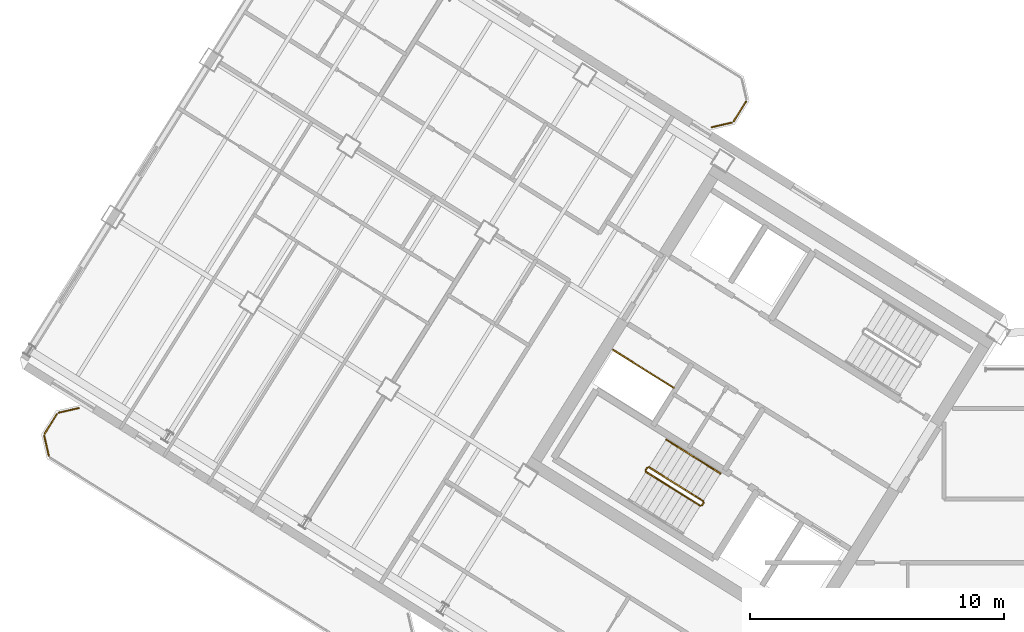
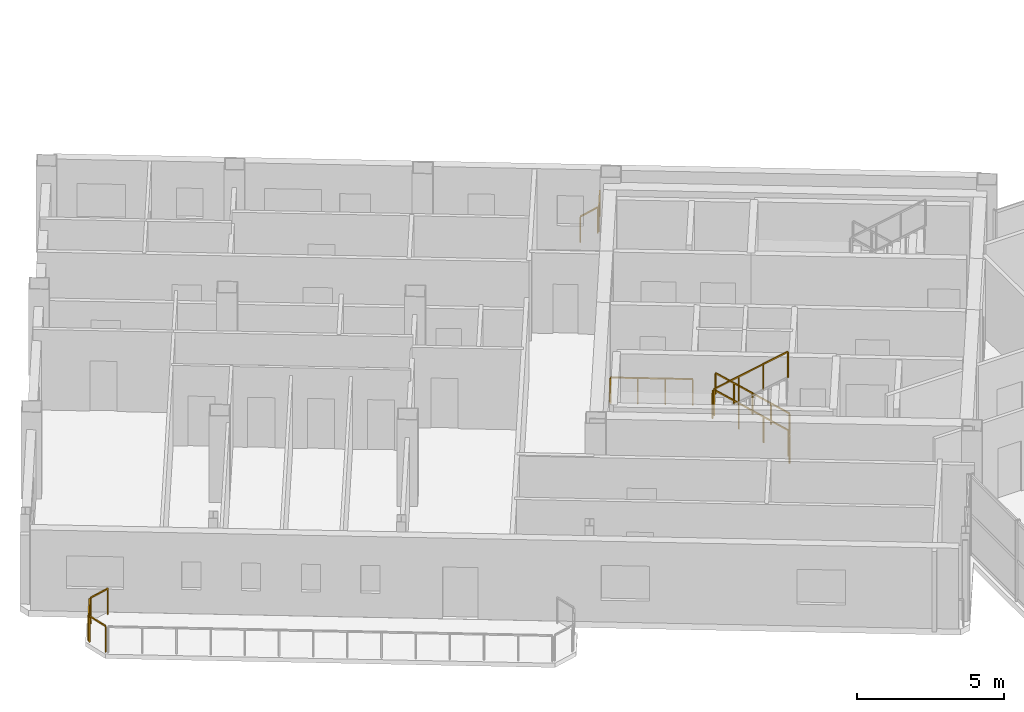
# One storey, part 23 of 25: 12 railings.
"""IFC4 building model written with IfcOpenShell, lengths in metres."""

from ifc_helpers import new_model, si_unit, direction, frame, origin, origin_2d, place, context, subcontext, project, spatial, rectangle, extrude, source, transform, mapped, material, type_object, element, save


model = new_model("IFC4")

# Units and contexts
model_context = context("Model", 3, precision=1e-05, world=origin(), true_north=direction((0.0, 1.0)))
body_context = subcontext(model_context, "Body", "Model", "MODEL_VIEW")
ifc_project = project(units=[si_unit("LENGTHUNIT", "METRE"), si_unit("AREAUNIT", "SQUARE_METRE"), si_unit("VOLUMEUNIT", "CUBIC_METRE"), si_unit("PLANEANGLEUNIT", "RADIAN"), si_unit("MASSUNIT", "GRAM", prefix="KILO")], contexts=[model_context])

# Site, building, storey
site_placement = place(None, origin())
site = spatial("IfcSite", under=ifc_project, at=site_placement, CompositionType="ELEMENT")
building_placement = place(site_placement, origin())
building = spatial("IfcBuilding", under=site, at=building_placement, Name="Tlacorven Tower", CompositionType="ELEMENT")
storey_placement = place(building_placement, frame((0.0, 0.0, 259.199951171875)))
storey = spatial("IfcBuildingStorey", under=building, at=storey_placement, Name="L65", CompositionType="ELEMENT", Elevation=259.199951171875)

# Railings
ifc_material = material(Name="Aluminium and painted steel balustrade", Category="steel")
railing_type_1 = type_object("IfcRailingType", Name="RL-GRD-1100", PredefinedType="GUARDRAIL", material=ifc_material)
shared_shape_1 = source(origin(), body_context, "Body", "SweptSolid", [
    extrude(rectangle(XDim=0.048095703125, YDim=0.048095703125, at=origin_2d()), frame((0.0, 0.0, 1.076171875), z_axis=(-0.848091358275, 0.529850024081, 0.0), x_axis=(-0.529850024081, -0.848091358275, 0.0)), (0.0, 0.0, 1.0), 2.800048828125),
    extrude(rectangle(XDim=0.0419921875, YDim=0.0419921875, at=origin_2d()), origin(), (0.0, 0.0, 1.0), 1.052001953125),
    extrude(rectangle(XDim=0.0419921875, YDim=0.0419921875, at=origin_2d()), frame((-0.79150390625, 0.49462890625, 0.0)), (0.0, 0.0, 1.0), 1.052001953125),
    extrude(rectangle(XDim=0.0419921875, YDim=0.0419921875, at=origin_2d()), frame((-1.583251953125, 0.989013671875, 0.0)), (0.0, 0.0, 1.0), 1.052001953125),
    extrude(rectangle(XDim=0.0419921875, YDim=0.0419921875, at=origin_2d()), frame((-2.374755859375, 1.483642578125, 0.0)), (0.0, 0.0, 1.0), 1.052001953125),
])
railing_1_placement = place(storey_placement, frame((27.9912109375, 22.32080078125, 0.0)))
element("IfcRailing", 1, at=railing_1_placement, inside=storey, type_object=railing_type_1, Name="L65 Electrical Riser W Shaft Guard 1", PredefinedType="GUARDRAIL", context=body_context, shape_type="MappedRepresentation", body=[
    mapped(shared_shape_1, transform((0.0, 0.0, 0.0), scale=1.0)),
])
railing_type_2 = type_object("IfcRailingType", Name="RL-BAL-1100", PredefinedType="BALUSTRADE", material=ifc_material)
shared_shape_2 = source(origin(), body_context, "Body", "SweptSolid", [
    extrude(rectangle(XDim=0.048095703125, YDim=0.048095703125, at=origin_2d()), frame((0.0, 0.0, 1.076171875), z_axis=(-0.52987865805, -0.848073468364, 0.0), x_axis=(0.848073468364, -0.52987865805, 0.0)), (0.0, 0.0, 1.0), 0.912353515625),
    extrude(rectangle(XDim=0.0419921875, YDim=0.0419921875, at=origin_2d()), origin(), (0.0, 0.0, 1.0), 1.052001953125),
    extrude(rectangle(XDim=0.0419921875, YDim=0.0419921875, at=origin_2d()), frame((-0.4833984375, -0.773681640625, 0.0)), (0.0, 0.0, 1.0), 1.052001953125),
])
railing_2_placement = place(storey_placement, frame((30.845947265625, 33.588623046875, 0.0)))
element("IfcRailing", 2, at=railing_2_placement, inside=storey, type_object=railing_type_2, Name="BAL-L65-W-IN Guard Railing 2", PredefinedType="BALUSTRADE", context=body_context, shape_type="MappedRepresentation", body=[
    mapped(shared_shape_2, transform((0.0, 0.0, 0.0), scale=1.0)),
])
shared_shape_3 = source(origin(), body_context, "Body", "SweptSolid", [
    extrude(rectangle(XDim=0.048095703125, YDim=0.048095703125, at=origin_2d()), frame((0.0, 0.0, 1.076171875), z_axis=(-0.225058334816, 0.974345290916, 0.0), x_axis=(-0.974345290916, -0.225058334816, 0.0)), (0.0, 0.0, 1.0), 0.80712890625),
    extrude(rectangle(XDim=0.0419921875, YDim=0.0419921875, at=origin_2d()), origin(), (0.0, 0.0, 1.0), 1.052001953125),
    extrude(rectangle(XDim=0.0419921875, YDim=0.0419921875, at=origin_2d()), frame((-0.181640625, 0.786376953125, 0.0)), (0.0, 0.0, 1.0), 1.052001953125),
])
railing_3_placement = place(storey_placement, frame((3.380859375, 19.62841796875, 0.0)))
element("IfcRailing", 3, at=railing_3_placement, inside=storey, type_object=railing_type_2, Name="BAL-L65-W-OUT Guard Railing 5", PredefinedType="BALUSTRADE", context=body_context, shape_type="MappedRepresentation", body=[
    mapped(shared_shape_3, transform((0.0, 0.0, 0.0), scale=1.0)),
])
shared_shape_4 = source(origin(), body_context, "Body", "SweptSolid", [
    extrude(rectangle(XDim=0.048095703125, YDim=0.048095703125, at=origin_2d()), frame((0.0, 0.0, 1.076171875), z_axis=(0.52987865805, 0.848073468364, 0.0), x_axis=(-0.848073468364, 0.52987865805, 0.0)), (0.0, 0.0, 1.0), 0.912353515625),
    extrude(rectangle(XDim=0.0419921875, YDim=0.0419921875, at=origin_2d()), origin(), (0.0, 0.0, 1.0), 1.052001953125),
    extrude(rectangle(XDim=0.0419921875, YDim=0.0419921875, at=origin_2d()), frame((0.4833984375, 0.773681640625, 0.0)), (0.0, 0.0, 1.0), 1.052001953125),
])
railing_4_placement = place(storey_placement, frame((3.214599609375, 20.505859375, 0.0)))
element("IfcRailing", 4, at=railing_4_placement, inside=storey, type_object=railing_type_2, Name="BAL-L65-W-OUT Guard Railing 6", PredefinedType="BALUSTRADE", context=body_context, shape_type="MappedRepresentation", body=[
    mapped(shared_shape_4, transform((0.0, 0.0, 0.0), scale=1.0)),
])
shared_shape_5 = source(origin(), body_context, "Body", "SweptSolid", [
    extrude(rectangle(XDim=0.048095703125, YDim=0.048095703125, at=origin_2d()), frame((0.0, 0.0, 1.076171875), z_axis=(0.974345290916, 0.225058334816, 0.0), x_axis=(-0.225058334816, 0.974345290916, 0.0)), (0.0, 0.0, 1.0), 0.80712890625),
    extrude(rectangle(XDim=0.0419921875, YDim=0.0419921875, at=origin_2d()), origin(), (0.0, 0.0, 1.0), 1.052001953125),
    extrude(rectangle(XDim=0.0419921875, YDim=0.0419921875, at=origin_2d()), frame((0.786376953125, 0.181640625, 0.0)), (0.0, 0.0, 1.0), 1.052001953125),
])
railing_5_placement = place(storey_placement, frame((3.773193359375, 21.3330078125, 0.0)))
element("IfcRailing", 5, at=railing_5_placement, inside=storey, type_object=railing_type_2, Name="BAL-L65-W-OUT Guard Railing 7", PredefinedType="BALUSTRADE", context=body_context, shape_type="MappedRepresentation", body=[
    mapped(shared_shape_5, transform((0.0, 0.0, 0.0), scale=1.0)),
])
shared_shape_6 = source(origin(), body_context, "Body", "SweptSolid", [
    extrude(rectangle(XDim=0.048095703125, YDim=0.048095703125, at=origin_2d()), frame((0.0, 0.0, 1.076171875), z_axis=(-0.974345290916, -0.225058334816, 0.0), x_axis=(0.225058334816, -0.974345290916, 0.0)), (0.0, 0.0, 1.0), 0.80712890625),
    extrude(rectangle(XDim=0.0419921875, YDim=0.0419921875, at=origin_2d()), origin(), (0.0, 0.0, 1.0), 1.052001953125),
    extrude(rectangle(XDim=0.0419921875, YDim=0.0419921875, at=origin_2d()), frame((-0.786376953125, -0.181640625, 0.0)), (0.0, 0.0, 1.0), 1.052001953125),
])
railing_6_placement = place(storey_placement, frame((30.287353515625, 32.761474609375, 0.0)))
element("IfcRailing", 6, at=railing_6_placement, inside=storey, type_object=railing_type_2, Name="BAL-L65-W-IN Guard Railing 3", PredefinedType="BALUSTRADE", context=body_context, shape_type="MappedRepresentation", body=[
    mapped(shared_shape_6, transform((0.0, 0.0, 0.0), scale=1.0)),
])
shared_shape_7 = source(origin(), body_context, "Body", "SweptSolid", [
    extrude(rectangle(XDim=0.048095703125, YDim=0.048095703125, at=origin_2d()), frame((0.0, 0.0, 1.076171875), z_axis=(-0.529084052582, -0.848569422795, 0.0), x_axis=(0.848569422795, -0.529084052582, 0.0)), (0.0, 0.0, 1.0), 0.119873046875),
    extrude(rectangle(XDim=0.0419921875, YDim=0.0419921875, at=origin_2d()), origin(), (0.0, 0.0, 1.0), 1.052001953125),
    extrude(rectangle(XDim=0.0419921875, YDim=0.0419921875, at=origin_2d()), frame((-0.0634765625, -0.101806640625, 0.0)), (0.0, 0.0, 1.0), 1.052001953125),
])
railing_7_placement = place(storey_placement, frame((29.176513671875, 17.782958984375, 0.0)))
element("IfcRailing", 7, at=railing_7_placement, inside=storey, type_object=railing_type_1, Name="L65 ST-W1 stair guard 4", PredefinedType="GUARDRAIL", context=body_context, shape_type="MappedRepresentation", body=[
    mapped(shared_shape_7, transform((0.0, 0.0, 0.0), scale=1.0)),
])
shared_shape_8 = source(origin(), body_context, "Body", "SweptSolid", [
    extrude(rectangle(XDim=0.048095703125, YDim=0.048095703125, at=origin_2d()), frame((0.0, 0.0, 1.076171875), z_axis=(-0.713319727316, 0.445773895627, 0.540796265334), x_axis=(-0.529955395941, -0.84802551749, 0.0)), (0.0, 0.0, 1.0), 2.995849609375),
    extrude(rectangle(XDim=0.0419921875, YDim=0.0419921875, at=origin_2d()), origin(), (0.0, 0.0, 1.0), 1.052001953125),
    extrude(rectangle(XDim=0.0419921875, YDim=0.0419921875, at=origin_2d()), frame((-0.71240234375, 0.445068359375, 0.5400390625)), (0.0, 0.0, 1.0), 1.052001953125),
    extrude(rectangle(XDim=0.0419921875, YDim=0.0419921875, at=origin_2d()), frame((-1.424560546875, 0.890380859375, 1.080078125)), (0.0, 0.0, 1.0), 1.052001953125),
    extrude(rectangle(XDim=0.0419921875, YDim=0.0419921875, at=origin_2d()), frame((-2.136962890625, 1.33544921875, 1.6201171875)), (0.0, 0.0, 1.0), 1.052001953125),
])
railing_8_placement = place(storey_placement, frame((29.16064453125, 17.851806640625, 0.179931640625)))
element("IfcRailing", 8, at=railing_8_placement, inside=storey, type_object=railing_type_1, Name="L65 ST-W1 stair guard 1", PredefinedType="GUARDRAIL", context=body_context, shape_type="MappedRepresentation", body=[
    mapped(shared_shape_8, transform((0.0, 0.0, 0.0), scale=1.0)),
])
shared_shape_9 = source(origin(), body_context, "Body", "SweptSolid", [
    extrude(rectangle(XDim=0.048095703125, YDim=0.048095703125, at=origin_2d()), frame((0.0, 0.0, 1.076171875), z_axis=(-0.530546985787, -0.847655529016, 0.0), x_axis=(0.847655529016, -0.530546985787, 0.0)), (0.0, 0.0, 1.0), 0.1201171875),
    extrude(rectangle(XDim=0.0419921875, YDim=0.0419921875, at=origin_2d()), origin(), (0.0, 0.0, 1.0), 1.052001953125),
    extrude(rectangle(XDim=0.0419921875, YDim=0.0419921875, at=origin_2d()), frame((-0.063720703125, -0.101806640625, 0.0)), (0.0, 0.0, 1.0), 1.052001953125),
])
railing_9_placement = place(storey_placement, frame((26.954833984375, 19.17138671875, 1.800048828125)))
element("IfcRailing", 9, at=railing_9_placement, inside=storey, type_object=railing_type_1, Name="L65 ST-W1 stair guard 2", PredefinedType="GUARDRAIL", context=body_context, shape_type="MappedRepresentation", body=[
    mapped(shared_shape_9, transform((0.0, 0.0, 0.0), scale=1.0)),
])
shared_shape_10 = source(origin(), body_context, "Body", "SweptSolid", [
    extrude(rectangle(XDim=0.048095703125, YDim=0.048095703125, at=origin_2d()), frame((0.0, 0.0, 1.076171875), z_axis=(0.713359751793, -0.4457479829, 0.540764828981), x_axis=(0.529911857636, 0.848052724267, 0.0)), (0.0, 0.0, 1.0), 2.99609375),
    extrude(rectangle(XDim=0.0419921875, YDim=0.0419921875, at=origin_2d()), origin(), (0.0, 0.0, 1.0), 1.052001953125),
    extrude(rectangle(XDim=0.0419921875, YDim=0.0419921875, at=origin_2d()), frame((0.71240234375, -0.445068359375, 0.5400390625)), (0.0, 0.0, 1.0), 1.052001953125),
    extrude(rectangle(XDim=0.0419921875, YDim=0.0419921875, at=origin_2d()), frame((1.4248046875, -0.890380859375, 1.080078125)), (0.0, 0.0, 1.0), 1.052001953125),
    extrude(rectangle(XDim=0.0419921875, YDim=0.0419921875, at=origin_2d()), frame((2.13720703125, -1.33544921875, 1.6201171875)), (0.0, 0.0, 1.0), 1.052001953125),
])
railing_10_placement = place(storey_placement, frame((26.906982421875, 19.000732421875, 1.97998046875)))
element("IfcRailing", 10, at=railing_10_placement, inside=storey, type_object=railing_type_1, Name="L65 ST-W1 stair guard 3", PredefinedType="GUARDRAIL", context=body_context, shape_type="MappedRepresentation", body=[
    mapped(shared_shape_10, transform((0.0, 0.0, 0.0), scale=1.0)),
])
railing_type_3 = type_object("IfcRailingType", Name="RL-HND-0900", PredefinedType="HANDRAIL", material=ifc_material)
shared_shape_11 = source(origin(), body_context, "Body", "SweptSolid", [
    extrude(rectangle(XDim=0.048095703125, YDim=0.048095703125, at=origin_2d()), frame((0.0, 0.0, 0.8759765625), z_axis=(-0.713359751793, 0.4457479829, 0.540764828981), x_axis=(-0.529911857636, -0.848052724267, 0.0)), (0.0, 0.0, 1.0), 1.498046875),
    extrude(rectangle(XDim=0.0419921875, YDim=0.0419921875, at=origin_2d()), origin(), (0.0, 0.0, 1.0), 0.851806640625),
    extrude(rectangle(XDim=0.0419921875, YDim=0.0419921875, at=origin_2d()), frame((-0.5341796875, 0.333984375, 0.405029296875)), (0.0, 0.0, 1.0), 0.851806640625),
    extrude(rectangle(XDim=0.0419921875, YDim=0.0419921875, at=origin_2d()), frame((-1.068603515625, 0.667724609375, 0.81005859375)), (0.0, 0.0, 1.0), 0.851806640625),
])
for number, where, name in (
    (11, (29.839111328125, 18.937255859375, 0.179931640625), "L65 ST-W1 stair handrail 1"),
    (12, (28.7705078125, 19.60498046875, 0.989990234375), "L65 ST-W1 stair handrail 2"),
):
    element("IfcRailing", number, at=place(storey_placement, frame(where)), inside=storey, type_object=railing_type_3, Name=name, PredefinedType="HANDRAIL", context=body_context, shape_type="MappedRepresentation", body=[
        mapped(shared_shape_11, transform((0.0, 0.0, 0.0), scale=1.0)),
    ])

save(model, "model.ifc")
